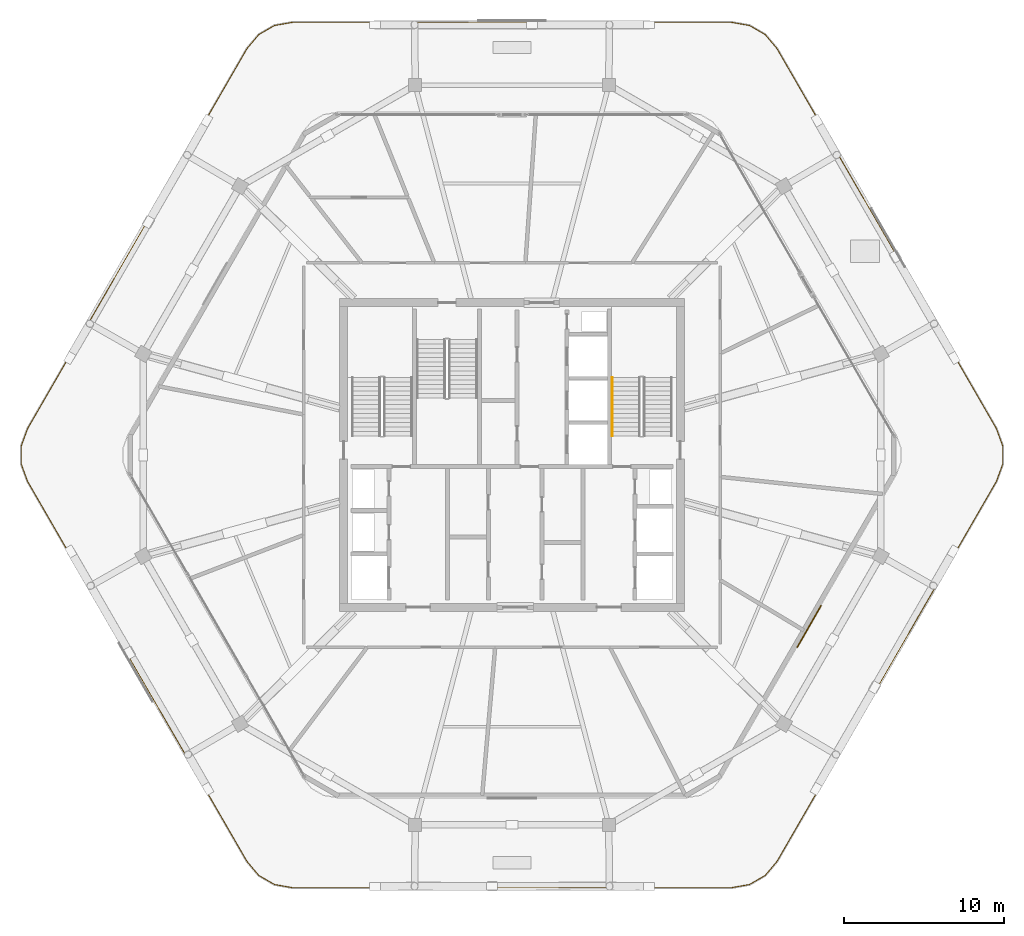
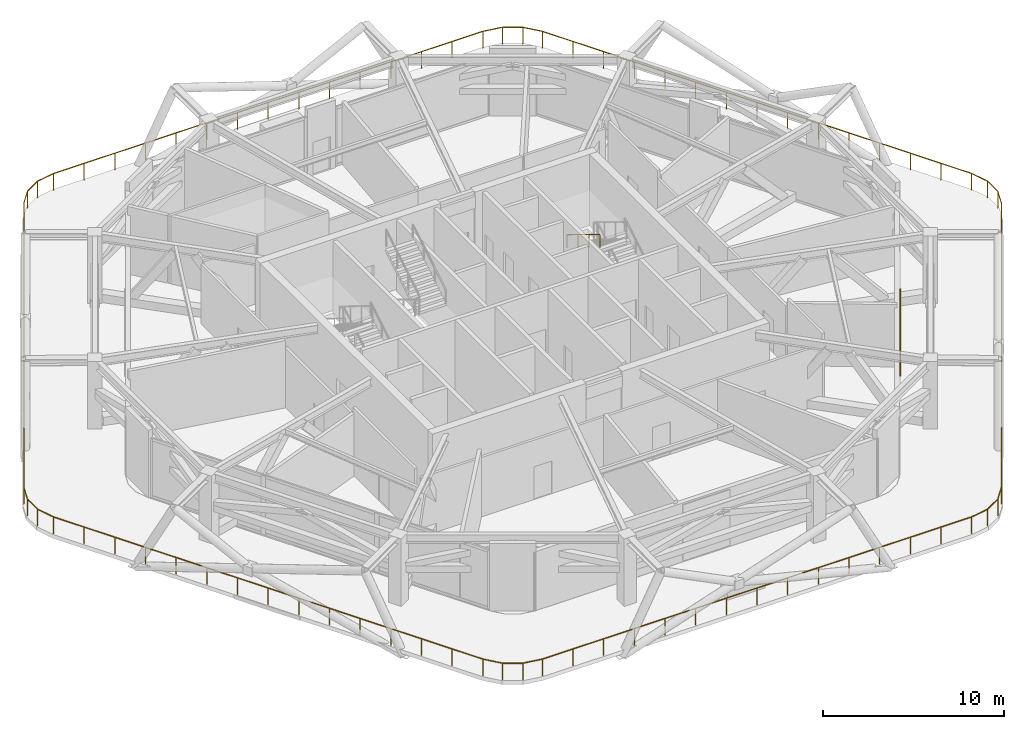
# One storey, part 17 of 19: 2 railings, 1 shading device.
"""IFC4 building model written with IfcOpenShell, lengths in metres."""

from ifc_helpers import new_model, si_unit, direction, frame, origin, origin_2d, place, context, subcontext, project, spatial, rectangle, extrude, material, layer, layer_set, type_object, element, save


model = new_model("IFC4")

# Units and contexts
model_context = context("Model", 3, precision=1e-05, world=origin(), true_north=direction((0.0, 1.0)))
body_context = subcontext(model_context, "Body", "Model", "MODEL_VIEW")
ifc_project = project(units=[si_unit("LENGTHUNIT", "METRE"), si_unit("AREAUNIT", "SQUARE_METRE"), si_unit("VOLUMEUNIT", "CUBIC_METRE"), si_unit("PLANEANGLEUNIT", "RADIAN"), si_unit("MASSUNIT", "GRAM", prefix="KILO")], contexts=[model_context])

# Site, building, storey
site_placement = place(None, origin())
site = spatial("IfcSite", under=ifc_project, at=site_placement, CompositionType="ELEMENT")
building_placement = place(site_placement, origin())
building = spatial("IfcBuilding", under=site, at=building_placement, Name="Zuhravey Tower", CompositionType="ELEMENT")
storey_placement = place(building_placement, frame((0.0, 0.0, 303.39990234375)))
storey = spatial("IfcBuildingStorey", under=building, at=storey_placement, Name="L77", CompositionType="ELEMENT", Elevation=303.39990234375)

# Railing
ifc_material_1 = material(Name="Stainless steel 316 and laminated glass", Category="steel")
railing_type_1 = type_object("IfcRailingType", Name="Balcony & Terrace Guardrail 1150", PredefinedType="BALUSTRADE", material=ifc_material_1)
railing_1_placement = place(storey_placement, frame((66.2109375, 30.35888671875, 0.0)))
element("IfcRailing", 1, at=railing_1_placement, inside=storey, type_object=railing_type_1, Name="L77 Sky-Garden Perimeter Guardrail GR1", PredefinedType="BALUSTRADE", context=body_context, shape_type="SweptSolid", body=[
    extrude(rectangle(XDim=0.048095703125, YDim=0.048095703125, at=origin_2d()), frame((-0.0009765625, -0.001708984375, 1.1259765625), z_axis=(-0.500000694566, -0.866025002776, 0.0), x_axis=(0.866025002776, -0.500000694566, 0.0)), (0.0, 0.0, 1.0), 27.364501953125),
    extrude(rectangle(XDim=0.048095703125, YDim=0.048095703125, at=origin_2d()), frame((-13.685546875, -23.703369140625, 1.1259765625), z_axis=(-0.642745829551, -0.766079498873, 0.0), x_axis=(0.766079498873, -0.642745829551, 0.0)), (0.0, 0.0, 1.0), 1.13818359375),
    extrude(rectangle(XDim=0.048095703125, YDim=0.048095703125, at=origin_2d()), frame((-14.420166015625, -24.577880859375, 1.1259765625), z_axis=(-0.866024429177, -0.500001688065, 0.0), x_axis=(0.500001688065, -0.866024429177, 0.0)), (0.0, 0.0, 1.0), 1.13134765625),
    extrude(rectangle(XDim=0.048095703125, YDim=0.048095703125, at=origin_2d()), frame((-15.403564453125, -25.144775390625, 1.1259765625), z_axis=(-0.984790012562, -0.173748758727, 0.0), x_axis=(0.173748758727, -0.984790012562, 0.0)), (0.0, 0.0, 1.0), 1.138427734375),
    extrude(rectangle(XDim=0.048095703125, YDim=0.048095703125, at=origin_2d()), frame((-16.528564453125, -25.343017578125, 1.1259765625), z_axis=(-1.0, 0.0, 0.0), x_axis=(0.0, -1.0, 0.0)), (0.0, 0.0, 1.0), 27.36474609375),
    extrude(rectangle(XDim=0.048095703125, YDim=0.048095703125, at=origin_2d()), frame((-43.897216796875, -25.3427734375, 1.1259765625), z_axis=(-0.984790012562, 0.173748758727, 0.0), x_axis=(-0.173748758727, -0.984790012562, 0.0)), (0.0, 0.0, 1.0), 1.138427734375),
    extrude(rectangle(XDim=0.048095703125, YDim=0.048095703125, at=origin_2d()), frame((-45.02197265625, -25.1435546875, 1.1259765625), z_axis=(-0.866024429177, 0.500001688065, 0.0), x_axis=(-0.500001688065, -0.866024429177, 0.0)), (0.0, 0.0, 1.0), 1.13134765625),
    extrude(rectangle(XDim=0.048095703125, YDim=0.048095703125, at=origin_2d()), frame((-46.004638671875, -24.575439453125, 1.1259765625), z_axis=(-0.642745829551, 0.766079498873, 0.0), x_axis=(-0.766079498873, -0.642745829551, 0.0)), (0.0, 0.0, 1.0), 1.13818359375),
    extrude(rectangle(XDim=0.048095703125, YDim=0.048095703125, at=origin_2d()), frame((-46.738525390625, -23.7001953125, 1.1259765625), z_axis=(-0.500000694566, 0.866025002776, 0.0), x_axis=(-0.866025002776, -0.500000694566, 0.0)), (0.0, 0.0, 1.0), 27.364501953125),
    extrude(rectangle(XDim=0.048095703125, YDim=0.048095703125, at=origin_2d()), frame((-60.422607421875, 0.001953125, 1.1259765625), z_axis=(-0.342137680612, 0.939649832387, 0.0), x_axis=(-0.939649832387, -0.342137680612, 0.0)), (0.0, 0.0, 1.0), 1.138427734375),
    extrude(rectangle(XDim=0.048095703125, YDim=0.048095703125, at=origin_2d()), frame((-60.812744140625, 1.075439453125, 1.1259765625), z_axis=(0.0, 1.0, 0.0), x_axis=(-1.0, 0.0, 0.0)), (0.0, 0.0, 1.0), 1.13134765625),
    extrude(rectangle(XDim=0.048095703125, YDim=0.048095703125, at=origin_2d()), frame((-60.81201171875, 2.210693359375, 1.1259765625), z_axis=(0.342137680612, 0.939649832387, 0.0), x_axis=(-0.939649832387, 0.342137680612, 0.0)), (0.0, 0.0, 1.0), 1.138427734375),
    extrude(rectangle(XDim=0.048095703125, YDim=0.048095703125, at=origin_2d()), frame((-60.4208984375, 3.283935546875, 1.1259765625), z_axis=(0.500000694566, 0.866025002776, 0.0), x_axis=(-0.866025002776, 0.500000694566, 0.0)), (0.0, 0.0, 1.0), 27.364501953125),
    extrude(rectangle(XDim=0.048095703125, YDim=0.048095703125, at=origin_2d()), frame((-46.736328125, 26.985595703125, 1.1259765625), z_axis=(0.642745829551, 0.766079498873, 0.0), x_axis=(-0.766079498873, 0.642745829551, 0.0)), (0.0, 0.0, 1.0), 1.13818359375),
    extrude(rectangle(XDim=0.048095703125, YDim=0.048095703125, at=origin_2d()), frame((-46.001708984375, 27.860107421875, 1.1259765625), z_axis=(0.866024429177, 0.500001688065, 0.0), x_axis=(-0.500001688065, 0.866024429177, 0.0)), (0.0, 0.0, 1.0), 1.13134765625),
    extrude(rectangle(XDim=0.048095703125, YDim=0.048095703125, at=origin_2d()), frame((-45.018310546875, 28.427001953125, 1.1259765625), z_axis=(0.984790012562, 0.173748758727, 0.0), x_axis=(-0.173748758727, 0.984790012562, 0.0)), (0.0, 0.0, 1.0), 1.138427734375),
    extrude(rectangle(XDim=0.048095703125, YDim=0.048095703125, at=origin_2d()), frame((-43.893310546875, 28.625244140625, 1.1259765625), z_axis=(1.0, 0.0, 0.0), x_axis=(0.0, 1.0, 0.0)), (0.0, 0.0, 1.0), 27.36474609375),
    extrude(rectangle(XDim=0.048095703125, YDim=0.048095703125, at=origin_2d()), frame((-16.524658203125, 28.625, 1.1259765625), z_axis=(0.984790012562, -0.173748758727, 0.0), x_axis=(0.173748758727, 0.984790012562, 0.0)), (0.0, 0.0, 1.0), 1.138427734375),
    extrude(rectangle(XDim=0.048095703125, YDim=0.048095703125, at=origin_2d()), frame((-15.39990234375, 28.42578125, 1.1259765625), z_axis=(0.866024429177, -0.500001688065, 0.0), x_axis=(0.500001688065, 0.866024429177, 0.0)), (0.0, 0.0, 1.0), 1.13134765625),
    extrude(rectangle(XDim=0.048095703125, YDim=0.048095703125, at=origin_2d()), frame((-14.417236328125, 27.857666015625, 1.1259765625), z_axis=(0.642745829551, -0.766079498873, 0.0), x_axis=(0.766079498873, 0.642745829551, 0.0)), (0.0, 0.0, 1.0), 1.13818359375),
    extrude(rectangle(XDim=0.048095703125, YDim=0.048095703125, at=origin_2d()), frame((-13.683349609375, 26.982421875, 1.1259765625), z_axis=(0.500000694566, -0.866025002776, 0.0), x_axis=(0.866025002776, 0.500000694566, 0.0)), (0.0, 0.0, 1.0), 27.364501953125),
    extrude(rectangle(XDim=0.048095703125, YDim=0.048095703125, at=origin_2d()), frame((0.000732421875, 3.2802734375, 1.1259765625), z_axis=(0.342137680612, -0.939649832387, 0.0), x_axis=(0.939649832387, 0.342137680612, 0.0)), (0.0, 0.0, 1.0), 1.138427734375),
    extrude(rectangle(XDim=0.048095703125, YDim=0.048095703125, at=origin_2d()), frame((0.390869140625, 2.206787109375, 1.1259765625), z_axis=(0.0, -1.0, 0.0), x_axis=(1.0, 0.0, 0.0)), (0.0, 0.0, 1.0), 1.13134765625),
    extrude(rectangle(XDim=0.048095703125, YDim=0.048095703125, at=origin_2d()), frame((0.39013671875, 1.071533203125, 1.1259765625), z_axis=(-0.342137680612, -0.939649832387, 0.0), x_axis=(0.939649832387, -0.342137680612, 0.0)), (0.0, 0.0, 1.0), 1.138427734375),
    extrude(rectangle(XDim=0.0419921875, YDim=0.0419921875, at=origin_2d()), origin(), (0.0, 0.0, 1.0), 1.099853515625),
    extrude(rectangle(XDim=0.0419921875, YDim=0.0419921875, at=origin_2d()), frame((-0.9775390625, -1.69287109375, 0.0)), (0.0, 0.0, 1.0), 1.099853515625),
    extrude(rectangle(XDim=0.0419921875, YDim=0.0419921875, at=origin_2d()), frame((-1.954833984375, -3.385986328125, 0.0)), (0.0, 0.0, 1.0), 1.099853515625),
    extrude(rectangle(XDim=0.0419921875, YDim=0.0419921875, at=origin_2d()), frame((-2.932373046875, -5.0791015625, 0.0)), (0.0, 0.0, 1.0), 1.099853515625),
    extrude(rectangle(XDim=0.0419921875, YDim=0.0419921875, at=origin_2d()), frame((-3.909912109375, -6.77197265625, 0.0)), (0.0, 0.0, 1.0), 1.099853515625),
    extrude(rectangle(XDim=0.0419921875, YDim=0.0419921875, at=origin_2d()), frame((-4.88720703125, -8.46484375, 0.0)), (0.0, 0.0, 1.0), 1.099853515625),
    extrude(rectangle(XDim=0.0419921875, YDim=0.0419921875, at=origin_2d()), frame((-5.86474609375, -10.157958984375, 0.0)), (0.0, 0.0, 1.0), 1.099853515625),
    extrude(rectangle(XDim=0.0419921875, YDim=0.0419921875, at=origin_2d()), frame((-6.84228515625, -11.85107421875, 0.0)), (0.0, 0.0, 1.0), 1.099853515625),
    extrude(rectangle(XDim=0.0419921875, YDim=0.0419921875, at=origin_2d()), frame((-7.819580078125, -13.5439453125, 0.0)), (0.0, 0.0, 1.0), 1.099853515625),
    extrude(rectangle(XDim=0.0419921875, YDim=0.0419921875, at=origin_2d()), frame((-8.797119140625, -15.237060546875, 0.0)), (0.0, 0.0, 1.0), 1.099853515625),
    extrude(rectangle(XDim=0.0419921875, YDim=0.0419921875, at=origin_2d()), frame((-9.7744140625, -16.929931640625, 0.0)), (0.0, 0.0, 1.0), 1.099853515625),
    extrude(rectangle(XDim=0.0419921875, YDim=0.0419921875, at=origin_2d()), frame((-10.751953125, -18.623046875, 0.0)), (0.0, 0.0, 1.0), 1.099853515625),
    extrude(rectangle(XDim=0.0419921875, YDim=0.0419921875, at=origin_2d()), frame((-11.7294921875, -20.31591796875, 0.0)), (0.0, 0.0, 1.0), 1.099853515625),
    extrude(rectangle(XDim=0.0419921875, YDim=0.0419921875, at=origin_2d()), frame((-12.706787109375, -22.0087890625, 0.0)), (0.0, 0.0, 1.0), 1.099853515625),
    extrude(rectangle(XDim=0.0419921875, YDim=0.0419921875, at=origin_2d()), frame((-13.684326171875, -23.701904296875, 0.0)), (0.0, 0.0, 1.0), 1.099853515625),
    extrude(rectangle(XDim=0.0419921875, YDim=0.0419921875, at=origin_2d()), frame((-14.41845703125, -24.576904296875, 0.0)), (0.0, 0.0, 1.0), 1.099853515625),
    extrude(rectangle(XDim=0.0419921875, YDim=0.0419921875, at=origin_2d()), frame((-15.401611328125, -25.14453125, 0.0)), (0.0, 0.0, 1.0), 1.099853515625),
    extrude(rectangle(XDim=0.0419921875, YDim=0.0419921875, at=origin_2d()), frame((-16.526611328125, -25.343017578125, 0.0)), (0.0, 0.0, 1.0), 1.099853515625),
    extrude(rectangle(XDim=0.0419921875, YDim=0.0419921875, at=origin_2d()), frame((-18.4814453125, -25.343017578125, 0.0)), (0.0, 0.0, 1.0), 1.099853515625),
    extrude(rectangle(XDim=0.0419921875, YDim=0.0419921875, at=origin_2d()), frame((-20.4365234375, -25.343017578125, 0.0)), (0.0, 0.0, 1.0), 1.099853515625),
    extrude(rectangle(XDim=0.0419921875, YDim=0.0419921875, at=origin_2d()), frame((-22.391357421875, -25.343017578125, 0.0)), (0.0, 0.0, 1.0), 1.099853515625),
    extrude(rectangle(XDim=0.0419921875, YDim=0.0419921875, at=origin_2d()), frame((-24.34619140625, -25.343017578125, 0.0)), (0.0, 0.0, 1.0), 1.099853515625),
    extrude(rectangle(XDim=0.0419921875, YDim=0.0419921875, at=origin_2d()), frame((-26.301025390625, -25.343017578125, 0.0)), (0.0, 0.0, 1.0), 1.099853515625),
    extrude(rectangle(XDim=0.0419921875, YDim=0.0419921875, at=origin_2d()), frame((-28.256103515625, -25.343017578125, 0.0)), (0.0, 0.0, 1.0), 1.099853515625),
    extrude(rectangle(XDim=0.0419921875, YDim=0.0419921875, at=origin_2d()), frame((-30.2109375, -25.343017578125, 0.0)), (0.0, 0.0, 1.0), 1.099853515625),
    extrude(rectangle(XDim=0.0419921875, YDim=0.0419921875, at=origin_2d()), frame((-32.165771484375, -25.343017578125, 0.0)), (0.0, 0.0, 1.0), 1.099853515625),
    extrude(rectangle(XDim=0.0419921875, YDim=0.0419921875, at=origin_2d()), frame((-34.120849609375, -25.343017578125, 0.0)), (0.0, 0.0, 1.0), 1.099853515625),
    extrude(rectangle(XDim=0.0419921875, YDim=0.0419921875, at=origin_2d()), frame((-36.07568359375, -25.343017578125, 0.0)), (0.0, 0.0, 1.0), 1.099853515625),
    extrude(rectangle(XDim=0.0419921875, YDim=0.0419921875, at=origin_2d()), frame((-38.030517578125, -25.343017578125, 0.0)), (0.0, 0.0, 1.0), 1.099853515625),
    extrude(rectangle(XDim=0.0419921875, YDim=0.0419921875, at=origin_2d()), frame((-39.9853515625, -25.343017578125, 0.0)), (0.0, 0.0, 1.0), 1.099853515625),
    extrude(rectangle(XDim=0.0419921875, YDim=0.0419921875, at=origin_2d()), frame((-41.9404296875, -25.343017578125, 0.0)), (0.0, 0.0, 1.0), 1.099853515625),
    extrude(rectangle(XDim=0.0419921875, YDim=0.0419921875, at=origin_2d()), frame((-43.895263671875, -25.343017578125, 0.0)), (0.0, 0.0, 1.0), 1.099853515625),
    extrude(rectangle(XDim=0.0419921875, YDim=0.0419921875, at=origin_2d()), frame((-45.020263671875, -25.14453125, 0.0)), (0.0, 0.0, 1.0), 1.099853515625),
    extrude(rectangle(XDim=0.0419921875, YDim=0.0419921875, at=origin_2d()), frame((-46.00341796875, -24.576904296875, 0.0)), (0.0, 0.0, 1.0), 1.099853515625),
    extrude(rectangle(XDim=0.0419921875, YDim=0.0419921875, at=origin_2d()), frame((-46.737548828125, -23.701904296875, 0.0)), (0.0, 0.0, 1.0), 1.099853515625),
    extrude(rectangle(XDim=0.0419921875, YDim=0.0419921875, at=origin_2d()), frame((-47.715087890625, -22.0087890625, 0.0)), (0.0, 0.0, 1.0), 1.099853515625),
    extrude(rectangle(XDim=0.0419921875, YDim=0.0419921875, at=origin_2d()), frame((-48.6923828125, -20.31591796875, 0.0)), (0.0, 0.0, 1.0), 1.099853515625),
    extrude(rectangle(XDim=0.0419921875, YDim=0.0419921875, at=origin_2d()), frame((-49.669921875, -18.623046875, 0.0)), (0.0, 0.0, 1.0), 1.099853515625),
    extrude(rectangle(XDim=0.0419921875, YDim=0.0419921875, at=origin_2d()), frame((-50.6474609375, -16.929931640625, 0.0)), (0.0, 0.0, 1.0), 1.099853515625),
    extrude(rectangle(XDim=0.0419921875, YDim=0.0419921875, at=origin_2d()), frame((-51.624755859375, -15.23681640625, 0.0)), (0.0, 0.0, 1.0), 1.099853515625),
    extrude(rectangle(XDim=0.0419921875, YDim=0.0419921875, at=origin_2d()), frame((-52.602294921875, -13.5439453125, 0.0)), (0.0, 0.0, 1.0), 1.099853515625),
    extrude(rectangle(XDim=0.0419921875, YDim=0.0419921875, at=origin_2d()), frame((-53.57958984375, -11.85107421875, 0.0)), (0.0, 0.0, 1.0), 1.099853515625),
    extrude(rectangle(XDim=0.0419921875, YDim=0.0419921875, at=origin_2d()), frame((-54.55712890625, -10.157958984375, 0.0)), (0.0, 0.0, 1.0), 1.099853515625),
    extrude(rectangle(XDim=0.0419921875, YDim=0.0419921875, at=origin_2d()), frame((-55.53466796875, -8.46484375, 0.0)), (0.0, 0.0, 1.0), 1.099853515625),
    extrude(rectangle(XDim=0.0419921875, YDim=0.0419921875, at=origin_2d()), frame((-56.511962890625, -6.77197265625, 0.0)), (0.0, 0.0, 1.0), 1.099853515625),
    extrude(rectangle(XDim=0.0419921875, YDim=0.0419921875, at=origin_2d()), frame((-57.489501953125, -5.0791015625, 0.0)), (0.0, 0.0, 1.0), 1.099853515625),
    extrude(rectangle(XDim=0.0419921875, YDim=0.0419921875, at=origin_2d()), frame((-58.467041015625, -3.385986328125, 0.0)), (0.0, 0.0, 1.0), 1.099853515625),
    extrude(rectangle(XDim=0.0419921875, YDim=0.0419921875, at=origin_2d()), frame((-59.4443359375, -1.69287109375, 0.0)), (0.0, 0.0, 1.0), 1.099853515625),
    extrude(rectangle(XDim=0.0419921875, YDim=0.0419921875, at=origin_2d()), frame((-60.421875, 0.0, 0.0)), (0.0, 0.0, 1.0), 1.099853515625),
    extrude(rectangle(XDim=0.0419921875, YDim=0.0419921875, at=origin_2d()), frame((-60.812744140625, 1.073486328125, 0.0)), (0.0, 0.0, 1.0), 1.099853515625),
    extrude(rectangle(XDim=0.0419921875, YDim=0.0419921875, at=origin_2d()), frame((-60.812744140625, 2.208740234375, 0.0)), (0.0, 0.0, 1.0), 1.099853515625),
    extrude(rectangle(XDim=0.0419921875, YDim=0.0419921875, at=origin_2d()), frame((-60.421875, 3.2822265625, 0.0)), (0.0, 0.0, 1.0), 1.099853515625),
    extrude(rectangle(XDim=0.0419921875, YDim=0.0419921875, at=origin_2d()), frame((-59.4443359375, 4.97509765625, 0.0)), (0.0, 0.0, 1.0), 1.099853515625),
    extrude(rectangle(XDim=0.0419921875, YDim=0.0419921875, at=origin_2d()), frame((-58.467041015625, 6.668212890625, 0.0)), (0.0, 0.0, 1.0), 1.099853515625),
    extrude(rectangle(XDim=0.0419921875, YDim=0.0419921875, at=origin_2d()), frame((-57.489501953125, 8.361328125, 0.0)), (0.0, 0.0, 1.0), 1.099853515625),
    extrude(rectangle(XDim=0.0419921875, YDim=0.0419921875, at=origin_2d()), frame((-56.511962890625, 10.05419921875, 0.0)), (0.0, 0.0, 1.0), 1.099853515625),
    extrude(rectangle(XDim=0.0419921875, YDim=0.0419921875, at=origin_2d()), frame((-55.53466796875, 11.7470703125, 0.0)), (0.0, 0.0, 1.0), 1.099853515625),
    extrude(rectangle(XDim=0.0419921875, YDim=0.0419921875, at=origin_2d()), frame((-54.55712890625, 13.440185546875, 0.0)), (0.0, 0.0, 1.0), 1.099853515625),
    extrude(rectangle(XDim=0.0419921875, YDim=0.0419921875, at=origin_2d()), frame((-53.57958984375, 15.13330078125, 0.0)), (0.0, 0.0, 1.0), 1.099853515625),
    extrude(rectangle(XDim=0.0419921875, YDim=0.0419921875, at=origin_2d()), frame((-52.602294921875, 16.826171875, 0.0)), (0.0, 0.0, 1.0), 1.099853515625),
    extrude(rectangle(XDim=0.0419921875, YDim=0.0419921875, at=origin_2d()), frame((-51.624755859375, 18.51904296875, 0.0)), (0.0, 0.0, 1.0), 1.099853515625),
    extrude(rectangle(XDim=0.0419921875, YDim=0.0419921875, at=origin_2d()), frame((-50.6474609375, 20.212158203125, 0.0)), (0.0, 0.0, 1.0), 1.099853515625),
    extrude(rectangle(XDim=0.0419921875, YDim=0.0419921875, at=origin_2d()), frame((-49.669921875, 21.9052734375, 0.0)), (0.0, 0.0, 1.0), 1.099853515625),
    extrude(rectangle(XDim=0.0419921875, YDim=0.0419921875, at=origin_2d()), frame((-48.6923828125, 23.59814453125, 0.0)), (0.0, 0.0, 1.0), 1.099853515625),
    extrude(rectangle(XDim=0.0419921875, YDim=0.0419921875, at=origin_2d()), frame((-47.715087890625, 25.291015625, 0.0)), (0.0, 0.0, 1.0), 1.099853515625),
    extrude(rectangle(XDim=0.0419921875, YDim=0.0419921875, at=origin_2d()), frame((-46.737548828125, 26.984130859375, 0.0)), (0.0, 0.0, 1.0), 1.099853515625),
    extrude(rectangle(XDim=0.0419921875, YDim=0.0419921875, at=origin_2d()), frame((-46.00341796875, 27.859130859375, 0.0)), (0.0, 0.0, 1.0), 1.099853515625),
    extrude(rectangle(XDim=0.0419921875, YDim=0.0419921875, at=origin_2d()), frame((-45.020263671875, 28.4267578125, 0.0)), (0.0, 0.0, 1.0), 1.099853515625),
    extrude(rectangle(XDim=0.0419921875, YDim=0.0419921875, at=origin_2d()), frame((-43.895263671875, 28.625244140625, 0.0)), (0.0, 0.0, 1.0), 1.099853515625),
    extrude(rectangle(XDim=0.0419921875, YDim=0.0419921875, at=origin_2d()), frame((-41.9404296875, 28.625244140625, 0.0)), (0.0, 0.0, 1.0), 1.099853515625),
    extrude(rectangle(XDim=0.0419921875, YDim=0.0419921875, at=origin_2d()), frame((-39.9853515625, 28.625244140625, 0.0)), (0.0, 0.0, 1.0), 1.099853515625),
    extrude(rectangle(XDim=0.0419921875, YDim=0.0419921875, at=origin_2d()), frame((-38.030517578125, 28.625244140625, 0.0)), (0.0, 0.0, 1.0), 1.099853515625),
    extrude(rectangle(XDim=0.0419921875, YDim=0.0419921875, at=origin_2d()), frame((-36.07568359375, 28.625244140625, 0.0)), (0.0, 0.0, 1.0), 1.099853515625),
    extrude(rectangle(XDim=0.0419921875, YDim=0.0419921875, at=origin_2d()), frame((-34.120849609375, 28.625244140625, 0.0)), (0.0, 0.0, 1.0), 1.099853515625),
    extrude(rectangle(XDim=0.0419921875, YDim=0.0419921875, at=origin_2d()), frame((-32.165771484375, 28.625244140625, 0.0)), (0.0, 0.0, 1.0), 1.099853515625),
    extrude(rectangle(XDim=0.0419921875, YDim=0.0419921875, at=origin_2d()), frame((-30.2109375, 28.625244140625, 0.0)), (0.0, 0.0, 1.0), 1.099853515625),
    extrude(rectangle(XDim=0.0419921875, YDim=0.0419921875, at=origin_2d()), frame((-28.256103515625, 28.625244140625, 0.0)), (0.0, 0.0, 1.0), 1.099853515625),
    extrude(rectangle(XDim=0.0419921875, YDim=0.0419921875, at=origin_2d()), frame((-26.301025390625, 28.625244140625, 0.0)), (0.0, 0.0, 1.0), 1.099853515625),
    extrude(rectangle(XDim=0.0419921875, YDim=0.0419921875, at=origin_2d()), frame((-24.34619140625, 28.625244140625, 0.0)), (0.0, 0.0, 1.0), 1.099853515625),
    extrude(rectangle(XDim=0.0419921875, YDim=0.0419921875, at=origin_2d()), frame((-22.391357421875, 28.625244140625, 0.0)), (0.0, 0.0, 1.0), 1.099853515625),
    extrude(rectangle(XDim=0.0419921875, YDim=0.0419921875, at=origin_2d()), frame((-20.4365234375, 28.625244140625, 0.0)), (0.0, 0.0, 1.0), 1.099853515625),
    extrude(rectangle(XDim=0.0419921875, YDim=0.0419921875, at=origin_2d()), frame((-18.4814453125, 28.625244140625, 0.0)), (0.0, 0.0, 1.0), 1.099853515625),
    extrude(rectangle(XDim=0.0419921875, YDim=0.0419921875, at=origin_2d()), frame((-16.526611328125, 28.625244140625, 0.0)), (0.0, 0.0, 1.0), 1.099853515625),
    extrude(rectangle(XDim=0.0419921875, YDim=0.0419921875, at=origin_2d()), frame((-15.401611328125, 28.4267578125, 0.0)), (0.0, 0.0, 1.0), 1.099853515625),
    extrude(rectangle(XDim=0.0419921875, YDim=0.0419921875, at=origin_2d()), frame((-14.41845703125, 27.859130859375, 0.0)), (0.0, 0.0, 1.0), 1.099853515625),
    extrude(rectangle(XDim=0.0419921875, YDim=0.0419921875, at=origin_2d()), frame((-13.684326171875, 26.984130859375, 0.0)), (0.0, 0.0, 1.0), 1.099853515625),
    extrude(rectangle(XDim=0.0419921875, YDim=0.0419921875, at=origin_2d()), frame((-12.706787109375, 25.291015625, 0.0)), (0.0, 0.0, 1.0), 1.099853515625),
    extrude(rectangle(XDim=0.0419921875, YDim=0.0419921875, at=origin_2d()), frame((-11.7294921875, 23.59814453125, 0.0)), (0.0, 0.0, 1.0), 1.099853515625),
    extrude(rectangle(XDim=0.0419921875, YDim=0.0419921875, at=origin_2d()), frame((-10.751953125, 21.9052734375, 0.0)), (0.0, 0.0, 1.0), 1.099853515625),
    extrude(rectangle(XDim=0.0419921875, YDim=0.0419921875, at=origin_2d()), frame((-9.7744140625, 20.212158203125, 0.0)), (0.0, 0.0, 1.0), 1.099853515625),
    extrude(rectangle(XDim=0.0419921875, YDim=0.0419921875, at=origin_2d()), frame((-8.797119140625, 18.51904296875, 0.0)), (0.0, 0.0, 1.0), 1.099853515625),
    extrude(rectangle(XDim=0.0419921875, YDim=0.0419921875, at=origin_2d()), frame((-7.819580078125, 16.826171875, 0.0)), (0.0, 0.0, 1.0), 1.099853515625),
    extrude(rectangle(XDim=0.0419921875, YDim=0.0419921875, at=origin_2d()), frame((-6.84228515625, 15.13330078125, 0.0)), (0.0, 0.0, 1.0), 1.099853515625),
    extrude(rectangle(XDim=0.0419921875, YDim=0.0419921875, at=origin_2d()), frame((-5.86474609375, 13.440185546875, 0.0)), (0.0, 0.0, 1.0), 1.099853515625),
    extrude(rectangle(XDim=0.0419921875, YDim=0.0419921875, at=origin_2d()), frame((-4.88720703125, 11.7470703125, 0.0)), (0.0, 0.0, 1.0), 1.099853515625),
    extrude(rectangle(XDim=0.0419921875, YDim=0.0419921875, at=origin_2d()), frame((-3.909912109375, 10.05419921875, 0.0)), (0.0, 0.0, 1.0), 1.099853515625),
    extrude(rectangle(XDim=0.0419921875, YDim=0.0419921875, at=origin_2d()), frame((-2.932373046875, 8.361328125, 0.0)), (0.0, 0.0, 1.0), 1.099853515625),
    extrude(rectangle(XDim=0.0419921875, YDim=0.0419921875, at=origin_2d()), frame((-1.954833984375, 6.668212890625, 0.0)), (0.0, 0.0, 1.0), 1.099853515625),
    extrude(rectangle(XDim=0.0419921875, YDim=0.0419921875, at=origin_2d()), frame((-0.9775390625, 4.97509765625, 0.0)), (0.0, 0.0, 1.0), 1.099853515625),
    extrude(rectangle(XDim=0.0419921875, YDim=0.0419921875, at=origin_2d()), frame((0.0, 3.2822265625, 0.0)), (0.0, 0.0, 1.0), 1.099853515625),
    extrude(rectangle(XDim=0.0419921875, YDim=0.0419921875, at=origin_2d()), frame((0.390869140625, 2.208740234375, 0.0)), (0.0, 0.0, 1.0), 1.099853515625),
    extrude(rectangle(XDim=0.0419921875, YDim=0.0419921875, at=origin_2d()), frame((0.390869140625, 1.073486328125, 0.0)), (0.0, 0.0, 1.0), 1.099853515625),
])

# Shading device
ifc_material_2 = material(Name="Bronze-anodised perforated aluminium", Category="aluminium")
ifc_layer = layer(ifc_material_2, 0.06005859375)
ifc_layer_set = layer_set([ifc_layer], Name="Bronze-anodised perforated aluminium")
shading_device_type = type_object("IfcShadingDeviceType", Name="Girih Mashrabiya Solar Screen", PredefinedType="USERDEFINED", material=ifc_layer_set)
shading_device_placement = place(storey_placement, frame((54.52783203125, 21.302978515625, 0.10009765625), z_axis=(0.0, 0.0, 1.0), x_axis=(-0.5, -0.866025403784, 0.0)))
element("IfcShadingDevice", 2, at=shading_device_placement, inside=storey, type_object=shading_device_type, Name="L77 Face 6 Girih Solar Screen SCR1", ObjectType="SCREEN", PredefinedType="USERDEFINED", context=body_context, shape_type="SweptSolid", body=[
    extrude(rectangle(XDim=3.0, YDim=0.06005859375, at=origin_2d()), origin(), (0.0, 0.0, 1.0), 3.77001953125),
])

# Railing
ifc_material_3 = material(Name="Brushed stainless steel", Category="steel")
railing_type_2 = type_object("IfcRailingType", Name="Stair Wall Handrail 900", PredefinedType="HANDRAIL", material=ifc_material_3)
railing_2_placement = place(storey_placement, frame((42.25, 36.840087890625, 2.571533203125)))
element("IfcRailing", 3, at=railing_2_placement, inside=storey, type_object=railing_type_2, Name="L77 ST2 stair handrail 2", PredefinedType="HANDRAIL", context=body_context, shape_type="SweptSolid", body=[
    extrude(rectangle(XDim=0.048095703125, YDim=0.048095703125, at=origin_2d()), frame((0.0, -0.001708984375, 0.876953125), z_axis=(0.0, -0.852865859571, 0.52213008492), x_axis=(1.0, 0.0, 0.0)), (0.0, 0.0, 1.0), 4.26416015625),
    extrude(rectangle(XDim=0.0419921875, YDim=0.0419921875, at=origin_2d()), origin(), (0.0, 0.0, 1.0), 0.849853515625),
    extrude(rectangle(XDim=0.0419921875, YDim=0.0419921875, at=origin_2d()), frame((0.0, -1.21337890625, 0.742919921875)), (0.0, 0.0, 1.0), 0.849853515625),
    extrude(rectangle(XDim=0.0419921875, YDim=0.0419921875, at=origin_2d()), frame((0.0, -2.4267578125, 1.485595703125)), (0.0, 0.0, 1.0), 0.849853515625),
    extrude(rectangle(XDim=0.0419921875, YDim=0.0419921875, at=origin_2d()), frame((0.0, -3.64013671875, 2.228515625)), (0.0, 0.0, 1.0), 0.849853515625),
])

save(model, "model.ifc")
